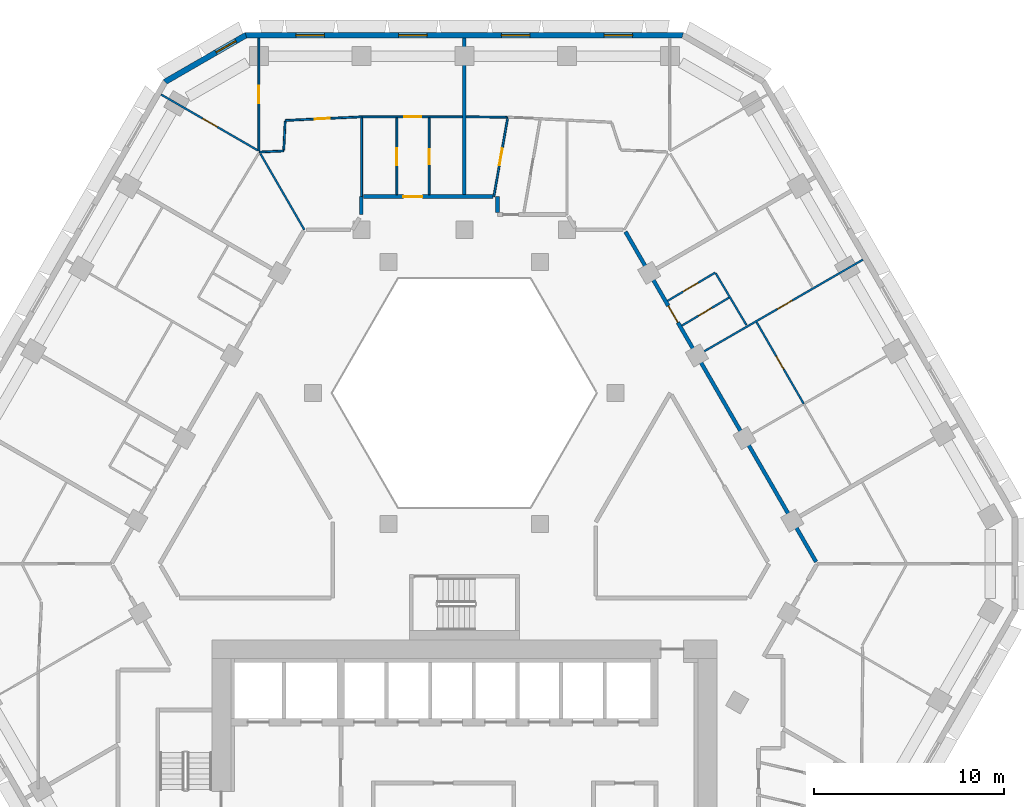
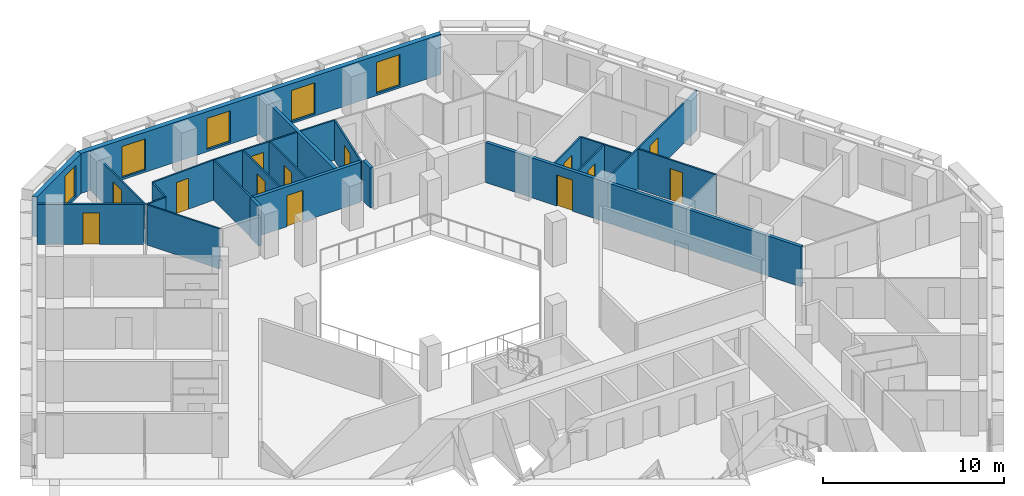
# One storey, part 8 of 15: 24 walls, 13 doors, 5 windows, 18 openings.
"""IFC4 building model written with IfcOpenShell, lengths in metres."""

from ifc_helpers import new_model, si_unit, direction, frame, frame_2d, origin, place, context, subcontext, project, spatial, polyline, rectangle, outline, extrude, material, layer, layer_set, type_object, element, fill, save


model = new_model("IFC4")

# Units and contexts
model_context = context("Model", 3, precision=1e-05, world=origin(), true_north=direction((0.0, 1.0)))
body_context = subcontext(model_context, "Body", "Model", "MODEL_VIEW")
ifc_project = project(units=[si_unit("LENGTHUNIT", "METRE"), si_unit("AREAUNIT", "SQUARE_METRE"), si_unit("VOLUMEUNIT", "CUBIC_METRE"), si_unit("PLANEANGLEUNIT", "RADIAN"), si_unit("MASSUNIT", "GRAM", prefix="KILO")], contexts=[model_context])

# Site, building, storey
site_placement = place(None, origin())
site = spatial("IfcSite", under=ifc_project, at=site_placement, CompositionType="ELEMENT")
building_placement = place(site_placement, origin())
building = spatial("IfcBuilding", under=site, at=building_placement, Name="Beryl Residences", CompositionType="ELEMENT")
storey_placement = place(building_placement, frame((0.0, 0.0, 84.0)))
storey = spatial("IfcBuildingStorey", under=building, at=storey_placement, Name="L25", CompositionType="ELEMENT", Elevation=84.0)

# Wall, openings, windows
ifc_material_1 = material(Name="Composite metal panel with mineral wool insulation")
ifc_layer_1 = layer(ifc_material_1, 0.300048828125)
ifc_layer_set_1 = layer_set([ifc_layer_1], Name="ES1 pale metal composite panel wall 300 mm")
wall_type_1 = type_object("IfcWallType", Name="ES1 pale metal composite panel wall 300 mm", PredefinedType="SOLIDWALL", material=ifc_layer_set_1)
wall_1_placement = place(storey_placement, frame((11.547119140625, 26.85009765625, 0.0), z_axis=(0.0, 0.0, 1.0), x_axis=(-1.0, 0.0, 0.0)))
wall_1 = element("IfcWall", 1, at=wall_1_placement, inside=storey, type_object=wall_type_1, Name="ES1 external wall L25 N", PredefinedType="SOLIDWALL", context=body_context, shape_type="SweptSolid", body=[
    extrude(outline(polyline([(0.0, -0.14990234375), (23.09423828125, -0.14990234375), (23.013916015625, 0.14990234375), (0.080322265625, 0.14990234375), (0.0, -0.14990234375)])), origin(), (0.0, 0.0, 1.0), 2.699951171875),
])
opening_1_placement = place(wall_1_placement, frame((2.677978515625, 0.0, 0.14990234375)))
opening_1 = element("IfcOpeningElement", 2, at=opening_1_placement, cuts=wall_1, Name="Opening W1", PredefinedType="OPENING", context=body_context, shape_type="SweptSolid", body=[
    extrude(rectangle(XDim=1.5, YDim=2.10009765625, at=frame_2d((0.75, 1.050048828125))), frame((0.0, 0.159912109375, 0.0), z_axis=(0.0, -1.0, 0.0), x_axis=(1.0, 0.0, 0.0)), (0.0, 0.0, 1.0), 0.320068359375),
])
opening_2_placement = place(wall_1_placement, frame((8.092041015625, 0.0, 0.14990234375)))
opening_2 = element("IfcOpeningElement", 3, at=opening_2_placement, cuts=wall_1, Name="Opening W1", PredefinedType="OPENING", context=body_context, shape_type="SweptSolid", body=[
    extrude(rectangle(XDim=1.5, YDim=2.10009765625, at=frame_2d((0.75, 1.050048828125))), frame((0.0, 0.159912109375, 0.0), z_axis=(0.0, -1.0, 0.0), x_axis=(1.0, 0.0, 0.0)), (0.0, 0.0, 1.0), 0.320068359375),
])
opening_3_placement = place(wall_1_placement, frame((13.50390625, 0.0, 0.14990234375)))
opening_3 = element("IfcOpeningElement", 4, at=opening_3_placement, cuts=wall_1, Name="Opening W1", PredefinedType="OPENING", context=body_context, shape_type="SweptSolid", body=[
    extrude(rectangle(XDim=1.5, YDim=2.10009765625, at=frame_2d((0.75, 1.050048828125))), frame((0.0, 0.159912109375, 0.0), z_axis=(0.0, -1.0, 0.0), x_axis=(1.0, 0.0, 0.0)), (0.0, 0.0, 1.0), 0.320068359375),
])
opening_4_placement = place(wall_1_placement, frame((18.9169921875, 0.0, 0.14990234375)))
opening_4 = element("IfcOpeningElement", 5, at=opening_4_placement, cuts=wall_1, Name="Opening W1", PredefinedType="OPENING", context=body_context, shape_type="SweptSolid", body=[
    extrude(rectangle(XDim=1.5, YDim=2.10009765625, at=frame_2d((0.75, 1.050048828125))), frame((0.0, 0.159912109375, 0.0), z_axis=(0.0, -1.0, 0.0), x_axis=(1.0, 0.0, 0.0)), (0.0, 0.0, 1.0), 0.320068359375),
])
ifc_material_2 = material(Name="Aluminium and clear glass", Category="aluminium")
window_type_1 = type_object("IfcWindowType", Name="W1 cell window 1500 x 2100 mm", PartitioningType="SINGLE_PANEL", PredefinedType="WINDOW", material=ifc_material_2)
window_1_placement = place(opening_1_placement, origin())
window_1 = element("IfcWindow", 6, at=window_1_placement, inside=storey, type_object=window_type_1, Name="W1 window L25 N 2", OverallHeight=2.10009765625, OverallWidth=1.5, PartitioningType="SINGLE_PANEL", PredefinedType="WINDOW", context=body_context, shape_type="SweptSolid", body=[
    extrude(rectangle(XDim=1.5, YDim=2.10009765625, at=frame_2d((0.75, 1.050048828125))), frame((0.0, 0.030029296875, 0.0), z_axis=(0.0, -1.0, 0.0), x_axis=(1.0, 0.0, 0.0)), (0.0, 0.0, 1.0), 0.06005859375),
])
fill(opening_1, window_1)
window_2_placement = place(opening_2_placement, origin())
window_2 = element("IfcWindow", 7, at=window_2_placement, inside=storey, type_object=window_type_1, Name="W1 window L25 N 4", OverallHeight=2.10009765625, OverallWidth=1.5, PartitioningType="SINGLE_PANEL", PredefinedType="WINDOW", context=body_context, shape_type="SweptSolid", body=[
    extrude(rectangle(XDim=1.5, YDim=2.10009765625, at=frame_2d((0.75, 1.050048828125))), frame((0.0, 0.030029296875, 0.0), z_axis=(0.0, -1.0, 0.0), x_axis=(1.0, 0.0, 0.0)), (0.0, 0.0, 1.0), 0.06005859375),
])
fill(opening_2, window_2)
window_3_placement = place(opening_3_placement, origin())
window_3 = element("IfcWindow", 8, at=window_3_placement, inside=storey, type_object=window_type_1, Name="W1 window L25 N 6", OverallHeight=2.10009765625, OverallWidth=1.5, PartitioningType="SINGLE_PANEL", PredefinedType="WINDOW", context=body_context, shape_type="SweptSolid", body=[
    extrude(rectangle(XDim=1.5, YDim=2.10009765625, at=frame_2d((0.75, 1.050048828125))), frame((0.0, 0.030029296875, 0.0), z_axis=(0.0, -1.0, 0.0), x_axis=(1.0, 0.0, 0.0)), (0.0, 0.0, 1.0), 0.06005859375),
])
fill(opening_3, window_3)
window_4_placement = place(opening_4_placement, origin())
window_4 = element("IfcWindow", 9, at=window_4_placement, inside=storey, type_object=window_type_1, Name="W1 window L25 N 8", OverallHeight=2.10009765625, OverallWidth=1.5, PartitioningType="SINGLE_PANEL", PredefinedType="WINDOW", context=body_context, shape_type="SweptSolid", body=[
    extrude(rectangle(XDim=1.5, YDim=2.10009765625, at=frame_2d((0.75, 1.050048828125))), frame((0.0, 0.030029296875, 0.0), z_axis=(0.0, -1.0, 0.0), x_axis=(1.0, 0.0, 0.0)), (0.0, 0.0, 1.0), 0.06005859375),
])
fill(opening_4, window_4)

# Wall, opening, window
wall_2_placement = place(storey_placement, frame((-11.471923828125, 26.8701171875, 0.0), z_axis=(0.0, 0.0, 1.0), x_axis=(-0.866022959057, -0.500004234368, 0.0)))
wall_2 = element("IfcWall", 10, at=wall_2_placement, inside=storey, type_object=wall_type_1, Name="ES1 external wall L25 N-NW", PredefinedType="SOLIDWALL", context=body_context, shape_type="SweptSolid", body=[
    extrude(outline(polyline([(0.0, -0.14990234375), (5.0, -0.14990234375), (4.919677734375, 0.14990234375), (0.080322265625, 0.14990234375), (0.0, -0.14990234375)])), origin(), (0.0, 0.0, 1.0), 2.699951171875),
])
opening_5_placement = place(wall_2_placement, frame((0.64990234375, 0.0, 0.14990234375)))
opening_5 = element("IfcOpeningElement", 11, at=opening_5_placement, cuts=wall_2, Name="Opening W2", PredefinedType="OPENING", context=body_context, shape_type="SweptSolid", body=[
    extrude(rectangle(XDim=1.199951171875, YDim=2.10009765625, at=frame_2d((0.60009765625, 1.050048828125))), frame((0.0, 0.159912109375, 0.0), z_axis=(0.0, -1.0, 0.0), x_axis=(1.0, 0.0, 0.0)), (0.0, 0.0, 1.0), 0.320068359375),
])
ifc_material_3 = material(Name="Aluminium and clear glass", Category="aluminium")
window_type_2 = type_object("IfcWindowType", Name="W2 chamfer window 1200 x 2100 mm", PartitioningType="SINGLE_PANEL", PredefinedType="WINDOW", material=ifc_material_3)
window_5_placement = place(opening_5_placement, origin())
window_5 = element("IfcWindow", 12, at=window_5_placement, inside=storey, type_object=window_type_2, Name="W2 window L25 N-NW 1", OverallHeight=2.10009765625, OverallWidth=1.199951171875, PartitioningType="SINGLE_PANEL", PredefinedType="WINDOW", context=body_context, shape_type="SweptSolid", body=[
    extrude(rectangle(XDim=1.199951171875, YDim=2.10009765625, at=frame_2d((0.60009765625, 1.050048828125))), frame((0.0, 0.030029296875, 0.0), z_axis=(0.0, -1.0, 0.0), x_axis=(1.0, 0.0, 0.0)), (0.0, 0.0, 1.0), 0.06005859375),
])
fill(opening_5, window_5)

# Walls
ifc_material_4 = material(Name="Gypsum board partition on steel studs", Category="steel")
ifc_layer_2 = layer(ifc_material_4, 0.10009765625)
ifc_layer_set_2 = layer_set([ifc_layer_2], Name="PT1 partition 100 mm gypsum board on steel studs")
wall_type_2 = type_object("IfcWallType", Name="PT1 partition 100 mm gypsum board on steel studs", PredefinedType="PARTITIONING", material=ifc_layer_set_2)
wall_3_placement = place(storey_placement, frame((0.09912109375, 22.549072265625, 0.0), z_axis=(0.0, 0.0, 1.0), x_axis=(0.99995279897, -0.009715957599, 0.0)))
element("IfcWall", 13, at=wall_3_placement, inside=storey, type_object=wall_type_2, Name="Wall PT1 L25 001", PredefinedType="PARTITIONING", context=body_context, shape_type="SweptSolid", body=[
    extrude(rectangle(XDim=2.160888671875, YDim=0.10009765625, at=frame_2d((1.08056640625, 0.0))), origin(), (0.0, 0.0, 1.0), 2.699951171875),
])
wall_4_placement = place(storey_placement, frame((13.2470703125, 14.300048828125, 0.0), z_axis=(0.0, 0.0, 1.0), x_axis=(0.510312234073, -0.85998919979, 0.0)))
element("IfcWall", 14, at=wall_4_placement, inside=storey, type_object=wall_type_2, Name="Wall PT1 L25 004", PredefinedType="PARTITIONING", context=body_context, shape_type="SweptSolid", body=[
    extrude(rectangle(XDim=3.162841796875, YDim=0.10009765625, at=frame_2d((1.58154296875, 0.0))), origin(), (0.0, 0.0, 1.0), 2.699951171875),
])
wall_5_placement = place(storey_placement, frame((-10.741943359375, 20.60595703125, 0.0), z_axis=(0.0, 0.0, 1.0), x_axis=(0.50003312339, -0.866006279142, 0.0)))
element("IfcWall", 15, at=wall_5_placement, inside=storey, type_object=wall_type_2, Name="Wall PT1 L25 005", PredefinedType="PARTITIONING", context=body_context, shape_type="SweptSolid", body=[
    extrude(rectangle(XDim=4.625732421875, YDim=0.10009765625, at=frame_2d((2.31298828125, 0.0))), origin(), (0.0, 0.0, 1.0), 2.699951171875),
])

# Wall, opening, door
wall_6_placement = place(storey_placement, frame((15.39794921875, 11.73095703125, 0.0), z_axis=(0.0, 0.0, 1.0), x_axis=(0.500010064822, -0.866019592779, 0.0)))
wall_6 = element("IfcWall", 16, at=wall_6_placement, inside=storey, type_object=wall_type_2, Name="Wall PT1 L25 006", PredefinedType="PARTITIONING", context=body_context, shape_type="SweptSolid", body=[
    extrude(rectangle(XDim=4.97216796875, YDim=0.10009765625, at=frame_2d((2.486083984375, 0.0))), origin(), (0.0, 0.0, 1.0), 2.699951171875),
])
opening_6_placement = place(wall_6_placement, frame((2.06103515625, 0.0, 0.0)))
opening_6 = element("IfcOpeningElement", 17, at=opening_6_placement, cuts=wall_6, Name="Opening D0814", PredefinedType="OPENING", context=body_context, shape_type="SweptSolid", body=[
    extrude(rectangle(XDim=0.800048828125, YDim=2.10009765625, at=frame_2d((0.39990234375, 1.050048828125))), frame((0.0, 0.06005859375, 0.0), z_axis=(0.0, -1.0, 0.0), x_axis=(1.0, 0.0, 0.0)), (0.0, 0.0, 1.0), 0.1201171875),
])
ifc_material_5 = material(Name="Timber door leaf", Category="wood")
door_type_1 = type_object("IfcDoorType", Name="D3 bathroom door 800 x 2100 mm", OperationType="SINGLE_SWING_LEFT", PredefinedType="DOOR", material=ifc_material_5)
door_1_placement = place(opening_6_placement, origin())
door_1 = element("IfcDoor", 18, at=door_1_placement, inside=storey, type_object=door_type_1, Name="Door D0814 L25 001", OperationType="SINGLE_SWING_RIGHT", OverallHeight=2.10009765625, OverallWidth=0.800048828125, PredefinedType="DOOR", context=body_context, shape_type="SweptSolid", body=[
    extrude(rectangle(XDim=0.800048828125, YDim=2.10009765625, at=frame_2d((0.39990234375, 1.050048828125))), frame((0.0, 0.02490234375, 0.0), z_axis=(0.0, -1.0, 0.0), x_axis=(1.0, 0.0, 0.0)), (0.0, 0.0, 1.0), 0.050048828125),
])
fill(opening_6, door_1)

wall_7_placement = place(storey_placement, frame((-15.97705078125, 23.72509765625, 0.0), z_axis=(0.0, 0.0, 1.0), x_axis=(0.866028213039, -0.499995134196, 0.0)))
wall_7 = element("IfcWall", 19, at=wall_7_placement, inside=storey, type_object=wall_type_2, Name="Wall PT1 L25 025", PredefinedType="PARTITIONING", context=body_context, shape_type="SweptSolid", body=[
    extrude(rectangle(XDim=5.89013671875, YDim=0.10009765625, at=frame_2d((2.945068359375, 0.0))), origin(), (0.0, 0.0, 1.0), 2.699951171875),
])
opening_7_placement = place(wall_7_placement, frame((2.52392578125, 0.0, 0.0)))
opening_7 = element("IfcOpeningElement", 20, at=opening_7_placement, cuts=wall_7, Name="Opening D0829", PredefinedType="OPENING", context=body_context, shape_type="SweptSolid", body=[
    extrude(rectangle(XDim=0.89990234375, YDim=2.10009765625, at=frame_2d((0.449951171875, 1.050048828125))), frame((0.0, 0.06005859375, 0.0), z_axis=(0.0, -1.0, 0.0), x_axis=(1.0, 0.0, 0.0)), (0.0, 0.0, 1.0), 0.1201171875),
])
ifc_material_6 = material(Name="Timber door leaf", Category="wood")
door_type_2 = type_object("IfcDoorType", Name="D2 room door 900 x 2100 mm", OperationType="SINGLE_SWING_LEFT", PredefinedType="DOOR", material=ifc_material_6)
door_2_placement = place(opening_7_placement, origin())
door_2 = element("IfcDoor", 21, at=door_2_placement, inside=storey, type_object=door_type_2, Name="Door D0829 L25 001", OperationType="SINGLE_SWING_LEFT", OverallHeight=2.10009765625, OverallWidth=0.89990234375, PredefinedType="DOOR", context=body_context, shape_type="SweptSolid", body=[
    extrude(rectangle(XDim=0.89990234375, YDim=2.10009765625, at=frame_2d((0.449951171875, 1.050048828125))), frame((0.0, 0.02490234375, 0.0), z_axis=(0.0, -1.0, 0.0), x_axis=(1.0, 0.0, 0.0)), (0.0, 0.0, 1.0), 0.050048828125),
])
fill(opening_7, door_2)

wall_8_placement = place(storey_placement, frame((-5.384033203125, 22.550048828125, 0.0), z_axis=(0.0, 0.0, 1.0), x_axis=(1.0, 0.0, 0.0)))
wall_8 = element("IfcWall", 22, at=wall_8_placement, inside=storey, type_object=wall_type_2, Name="Wall PT1 L25 032", PredefinedType="PARTITIONING", context=body_context, shape_type="SweptSolid", body=[
    extrude(rectangle(XDim=5.282958984375, YDim=0.10009765625, at=frame_2d((2.6416015625, 0.0))), origin(), (0.0, 0.0, 1.0), 2.699951171875),
])
opening_8_placement = place(wall_8_placement, frame((2.22607421875, 0.0, 0.0)))
opening_8 = element("IfcOpeningElement", 23, at=opening_8_placement, cuts=wall_8, Name="Opening D0826", PredefinedType="OPENING", context=body_context, shape_type="SweptSolid", body=[
    extrude(rectangle(XDim=0.89990234375, YDim=2.10009765625, at=frame_2d((0.449951171875, 1.050048828125))), frame((0.0, 0.06005859375, 0.0), z_axis=(0.0, -1.0, 0.0), x_axis=(1.0, 0.0, 0.0)), (0.0, 0.0, 1.0), 0.1201171875),
])
door_3_placement = place(opening_8_placement, origin())
door_3 = element("IfcDoor", 24, at=door_3_placement, inside=storey, type_object=door_type_2, Name="Door D0826 L25 001", OperationType="SINGLE_SWING_RIGHT", OverallHeight=2.10009765625, OverallWidth=0.89990234375, PredefinedType="DOOR", context=body_context, shape_type="SweptSolid", body=[
    extrude(rectangle(XDim=0.89990234375, YDim=2.10009765625, at=frame_2d((0.449951171875, 1.050048828125))), frame((0.0, 0.02490234375, 0.0), z_axis=(0.0, -1.0, 0.0), x_axis=(1.0, 0.0, 0.0)), (0.0, 0.0, 1.0), 0.050048828125),
])
fill(opening_8, door_3)

wall_9_placement = place(storey_placement, frame((1.556884765625, 18.35009765625, 0.0), z_axis=(0.0, 0.0, 1.0), x_axis=(0.173062973099, 0.984910761106, 0.0)))
wall_9 = element("IfcWall", 25, at=wall_9_placement, inside=storey, type_object=wall_type_2, Name="Wall PT1 L25 043", PredefinedType="PARTITIONING", context=body_context, shape_type="SweptSolid", body=[
    extrude(rectangle(XDim=4.241943359375, YDim=0.10009765625, at=frame_2d((2.12109375, 0.0))), origin(), (0.0, 0.0, 1.0), 2.699951171875),
])
opening_9_placement = place(wall_9_placement, frame((1.6708984375, 0.0, 0.0)))
opening_9 = element("IfcOpeningElement", 26, at=opening_9_placement, cuts=wall_9, Name="Opening D0817", PredefinedType="OPENING", context=body_context, shape_type="SweptSolid", body=[
    extrude(rectangle(XDim=0.89990234375, YDim=2.10009765625, at=frame_2d((0.449951171875, 1.050048828125))), frame((0.0, 0.06005859375, 0.0), z_axis=(0.0, -1.0, 0.0), x_axis=(1.0, 0.0, 0.0)), (0.0, 0.0, 1.0), 0.1201171875),
])
door_4_placement = place(opening_9_placement, origin())
door_4 = element("IfcDoor", 27, at=door_4_placement, inside=storey, type_object=door_type_2, Name="Door D0817 L25 001", OperationType="SINGLE_SWING_LEFT", OverallHeight=2.10009765625, OverallWidth=0.89990234375, PredefinedType="DOOR", context=body_context, shape_type="SweptSolid", body=[
    extrude(rectangle(XDim=0.89990234375, YDim=2.10009765625, at=frame_2d((0.449951171875, 1.050048828125))), frame((0.0, 0.02490234375, 0.0), z_axis=(0.0, -1.0, 0.0), x_axis=(1.0, 0.0, 0.0)), (0.0, 0.0, 1.0), 0.050048828125),
])
fill(opening_9, door_4)

# Wall
wall_10_placement = place(storey_placement, frame((-9.511962890625, 20.802978515625, 0.0), z_axis=(0.0, 0.0, 1.0), x_axis=(0.049089165168, 0.998794400196, 0.0)))
element("IfcWall", 28, at=wall_10_placement, inside=storey, type_object=wall_type_2, Name="Wall PT1 L25 044", PredefinedType="PARTITIONING", context=body_context, shape_type="SweptSolid", body=[
    extrude(rectangle(XDim=1.5068359375, YDim=0.10009765625, at=frame_2d((0.75341796875, 0.0))), origin(), (0.0, 0.0, 1.0), 2.699951171875),
])

# Wall, opening, door
wall_11_placement = place(storey_placement, frame((-3.556884765625, 18.449951171875, 0.0), z_axis=(0.0, 0.0, 1.0), x_axis=(0.0, 1.0, 0.0)))
wall_11 = element("IfcWall", 29, at=wall_11_placement, inside=storey, type_object=wall_type_2, Name="Wall PT1 L25 053", PredefinedType="PARTITIONING", context=body_context, shape_type="SweptSolid", body=[
    extrude(rectangle(XDim=4.050048828125, YDim=0.10009765625, at=frame_2d((2.02490234375, 0.0))), origin(), (0.0, 0.0, 1.0), 2.699951171875),
])
opening_10_placement = place(wall_11_placement, frame((1.550048828125, 0.0, 0.0)))
opening_10 = element("IfcOpeningElement", 30, at=opening_10_placement, cuts=wall_11, Name="Opening D0825", PredefinedType="OPENING", context=body_context, shape_type="SweptSolid", body=[
    extrude(rectangle(XDim=0.89990234375, YDim=2.10009765625, at=frame_2d((0.449951171875, 1.050048828125))), frame((0.0, 0.06005859375, 0.0), z_axis=(0.0, -1.0, 0.0), x_axis=(1.0, 0.0, 0.0)), (0.0, 0.0, 1.0), 0.1201171875),
])
door_5_placement = place(opening_10_placement, origin())
door_5 = element("IfcDoor", 31, at=door_5_placement, inside=storey, type_object=door_type_2, Name="Door D0825 L25 001", OperationType="SINGLE_SWING_LEFT", OverallHeight=2.10009765625, OverallWidth=0.89990234375, PredefinedType="DOOR", context=body_context, shape_type="SweptSolid", body=[
    extrude(rectangle(XDim=0.89990234375, YDim=2.10009765625, at=frame_2d((0.449951171875, 1.050048828125))), frame((0.0, 0.02490234375, 0.0), z_axis=(0.0, -1.0, 0.0), x_axis=(1.0, 0.0, 0.0)), (0.0, 0.0, 1.0), 0.050048828125),
])
fill(opening_10, door_5)

# Wall
wall_12_placement = place(storey_placement, frame((-5.4140625, 18.35009765625, 0.0), z_axis=(0.0, 0.0, 1.0), x_axis=(0.0, 1.0, 0.0)))
element("IfcWall", 32, at=wall_12_placement, inside=storey, type_object=wall_type_2, Name="Wall PT1 L25 054", PredefinedType="PARTITIONING", context=body_context, shape_type="SweptSolid", body=[
    extrude(rectangle(XDim=4.14990234375, YDim=0.10009765625, at=frame_2d((2.074951171875, 0.0))), origin(), (0.0, 0.0, 1.0), 2.699951171875),
])

# Wall, opening, door
wall_13_placement = place(storey_placement, frame((-10.826904296875, 20.7529296875, 0.0), z_axis=(0.0, 0.0, 1.0), x_axis=(0.0, 1.0, 0.0)))
wall_13 = element("IfcWall", 33, at=wall_13_placement, inside=storey, type_object=wall_type_2, Name="Wall PT1 L25 056", PredefinedType="PARTITIONING", context=body_context, shape_type="SweptSolid", body=[
    extrude(rectangle(XDim=5.947021484375, YDim=0.10009765625, at=frame_2d((2.9736328125, 0.0))), origin(), (0.0, 0.0, 1.0), 2.699951171875),
])
opening_11_placement = place(wall_13_placement, frame((2.52294921875, 0.0, 0.0)))
opening_11 = element("IfcOpeningElement", 34, at=opening_11_placement, cuts=wall_13, Name="Opening D0827", PredefinedType="OPENING", context=body_context, shape_type="SweptSolid", body=[
    extrude(rectangle(XDim=0.89990234375, YDim=2.10009765625, at=frame_2d((0.449951171875, 1.050048828125))), frame((0.0, 0.06005859375, 0.0), z_axis=(0.0, -1.0, 0.0), x_axis=(1.0, 0.0, 0.0)), (0.0, 0.0, 1.0), 0.1201171875),
])
door_6_placement = place(opening_11_placement, origin())
door_6 = element("IfcDoor", 35, at=door_6_placement, inside=storey, type_object=door_type_2, Name="Door D0827 L25 001", OperationType="SINGLE_SWING_LEFT", OverallHeight=2.10009765625, OverallWidth=0.89990234375, PredefinedType="DOOR", context=body_context, shape_type="SweptSolid", body=[
    extrude(rectangle(XDim=0.89990234375, YDim=2.10009765625, at=frame_2d((0.449951171875, 1.050048828125))), frame((0.0, 0.02490234375, 0.0), z_axis=(0.0, -1.0, 0.0), x_axis=(1.0, 0.0, 0.0)), (0.0, 0.0, 1.0), 0.050048828125),
])
fill(opening_11, door_6)

wall_14_placement = place(storey_placement, frame((-1.85693359375, 18.449951171875, 0.0), z_axis=(0.0, 0.0, 1.0), x_axis=(0.0, 1.0, 0.0)))
wall_14 = element("IfcWall", 36, at=wall_14_placement, inside=storey, type_object=wall_type_2, Name="Wall PT1 L25 058", PredefinedType="PARTITIONING", context=body_context, shape_type="SweptSolid", body=[
    extrude(rectangle(XDim=4.050048828125, YDim=0.10009765625, at=frame_2d((2.02490234375, 0.0))), origin(), (0.0, 0.0, 1.0), 2.699951171875),
])
opening_12_placement = place(wall_14_placement, frame((1.60009765625, 0.0, 0.0)))
opening_12 = element("IfcOpeningElement", 37, at=opening_12_placement, cuts=wall_14, Name="Opening D0824", PredefinedType="OPENING", context=body_context, shape_type="SweptSolid", body=[
    extrude(rectangle(XDim=0.800048828125, YDim=2.10009765625, at=frame_2d((0.39990234375, 1.050048828125))), frame((0.0, 0.06005859375, 0.0), z_axis=(0.0, -1.0, 0.0), x_axis=(1.0, 0.0, 0.0)), (0.0, 0.0, 1.0), 0.1201171875),
])
door_7_placement = place(opening_12_placement, origin())
door_7 = element("IfcDoor", 38, at=door_7_placement, inside=storey, type_object=door_type_1, Name="Door D0824 L25 001", OperationType="SINGLE_SWING_RIGHT", OverallHeight=2.10009765625, OverallWidth=0.800048828125, PredefinedType="DOOR", context=body_context, shape_type="SweptSolid", body=[
    extrude(rectangle(XDim=0.800048828125, YDim=2.10009765625, at=frame_2d((0.39990234375, 1.050048828125))), frame((0.0, 0.02490234375, 0.0), z_axis=(0.0, -1.0, 0.0), x_axis=(1.0, 0.0, 0.0)), (0.0, 0.0, 1.0), 0.050048828125),
])
fill(opening_12, door_7)

# Wall
wall_15_placement = place(storey_placement, frame((-10.7919921875, 20.69189453125, 0.0), z_axis=(0.0, 0.0, 1.0), x_axis=(0.998861653202, 0.04770112957, 0.0)))
element("IfcWall", 39, at=wall_15_placement, inside=storey, type_object=wall_type_2, Name="Wall PT1 L25 061", PredefinedType="PARTITIONING", context=body_context, shape_type="SweptSolid", body=[
    extrude(rectangle(XDim=1.279541015625, YDim=0.10009765625, at=frame_2d((0.6396484375, 0.0))), origin(), (0.0, 0.0, 1.0), 2.699951171875),
])

# Wall, opening, door
wall_16_placement = place(storey_placement, frame((-9.43505859375, 22.35791015625, 0.0), z_axis=(0.0, 0.0, 1.0), x_axis=(0.998871548472, 0.04749346959, 0.0)))
wall_16 = element("IfcWall", 40, at=wall_16_placement, inside=storey, type_object=wall_type_2, Name="Wall PT1 L25 062", PredefinedType="PARTITIONING", context=body_context, shape_type="SweptSolid", body=[
    extrude(rectangle(XDim=4.045654296875, YDim=0.10009765625, at=frame_2d((2.02294921875, 0.0))), origin(), (0.0, 0.0, 1.0), 2.699951171875),
])
opening_13_placement = place(wall_16_placement, frame((1.554931640625, 0.0, 0.0)))
opening_13 = element("IfcOpeningElement", 41, at=opening_13_placement, cuts=wall_16, Name="Opening D0828", PredefinedType="OPENING", context=body_context, shape_type="SweptSolid", body=[
    extrude(rectangle(XDim=0.800048828125, YDim=2.10009765625, at=frame_2d((0.39990234375, 1.050048828125))), frame((0.0, 0.06005859375, 0.0), z_axis=(0.0, -1.0, 0.0), x_axis=(1.0, 0.0, 0.0)), (0.0, 0.0, 1.0), 0.1201171875),
])
door_8_placement = place(opening_13_placement, origin())
door_8 = element("IfcDoor", 42, at=door_8_placement, inside=storey, type_object=door_type_1, Name="Door D0828 L25 001", OperationType="SINGLE_SWING_RIGHT", OverallHeight=2.10009765625, OverallWidth=0.800048828125, PredefinedType="DOOR", context=body_context, shape_type="SweptSolid", body=[
    extrude(rectangle(XDim=0.800048828125, YDim=2.10009765625, at=frame_2d((0.39990234375, 1.050048828125))), frame((0.0, 0.02490234375, 0.0), z_axis=(0.0, -1.0, 0.0), x_axis=(1.0, 0.0, 0.0)), (0.0, 0.0, 1.0), 0.050048828125),
])
fill(opening_13, door_8)

wall_17_placement = place(storey_placement, frame((12.342041015625, 10.02490234375, 0.0), z_axis=(0.0, 0.0, 1.0), x_axis=(0.865992435864, 0.500057097767, 0.0)))
wall_17 = element("IfcWall", 43, at=wall_17_placement, inside=storey, type_object=wall_type_2, Name="Wall PT1 L25 067", PredefinedType="PARTITIONING", context=body_context, shape_type="SweptSolid", body=[
    extrude(rectangle(XDim=9.998779296875, YDim=0.10009765625, at=frame_2d((4.99951171875, 0.0))), origin(), (0.0, 0.0, 1.0), 2.699951171875),
])
opening_14_placement = place(wall_17_placement, frame((4.794921875, 0.0, 0.0)))
opening_14 = element("IfcOpeningElement", 44, at=opening_14_placement, cuts=wall_17, Name="Opening D0811", PredefinedType="OPENING", context=body_context, shape_type="SweptSolid", body=[
    extrude(rectangle(XDim=0.89990234375, YDim=2.10009765625, at=frame_2d((0.449951171875, 1.050048828125))), frame((0.0, 0.06005859375, 0.0), z_axis=(0.0, -1.0, 0.0), x_axis=(1.0, 0.0, 0.0)), (0.0, 0.0, 1.0), 0.1201171875),
])
door_9_placement = place(opening_14_placement, origin())
door_9 = element("IfcDoor", 45, at=door_9_placement, inside=storey, type_object=door_type_2, Name="Door D0811 L25 001", OperationType="SINGLE_SWING_LEFT", OverallHeight=2.10009765625, OverallWidth=0.89990234375, PredefinedType="DOOR", context=body_context, shape_type="SweptSolid", body=[
    extrude(rectangle(XDim=0.89990234375, YDim=2.10009765625, at=frame_2d((0.449951171875, 1.050048828125))), frame((0.0, 0.02490234375, 0.0), z_axis=(0.0, -1.0, 0.0), x_axis=(1.0, 0.0, 0.0)), (0.0, 0.0, 1.0), 0.050048828125),
])
fill(opening_14, door_9)

wall_18_placement = place(storey_placement, frame((11.4619140625, 11.548095703125, 0.0), z_axis=(0.0, 0.0, 1.0), x_axis=(0.860106181478, 0.510115042498, 0.0)))
wall_18 = element("IfcWall", 46, at=wall_18_placement, inside=storey, type_object=wall_type_2, Name="Wall PT1 L25 068", PredefinedType="PARTITIONING", context=body_context, shape_type="SweptSolid", body=[
    extrude(rectangle(XDim=2.889404296875, YDim=0.10009765625, at=frame_2d((1.44482421875, 0.0))), origin(), (0.0, 0.0, 1.0), 2.699951171875),
])
opening_15_placement = place(wall_18_placement, frame((1.01904296875, 0.0, 0.0)))
opening_15 = element("IfcOpeningElement", 47, at=opening_15_placement, cuts=wall_18, Name="Opening D0809", PredefinedType="OPENING", context=body_context, shape_type="SweptSolid", body=[
    extrude(rectangle(XDim=0.800048828125, YDim=2.10009765625, at=frame_2d((0.39990234375, 1.050048828125))), frame((0.0, 0.06005859375, 0.0), z_axis=(0.0, -1.0, 0.0), x_axis=(1.0, 0.0, 0.0)), (0.0, 0.0, 1.0), 0.1201171875),
])
door_10_placement = place(opening_15_placement, origin())
door_10 = element("IfcDoor", 48, at=door_10_placement, inside=storey, type_object=door_type_1, Name="Door D0809 L25 001", OperationType="SINGLE_SWING_LEFT", OverallHeight=2.10009765625, OverallWidth=0.800048828125, PredefinedType="DOOR", context=body_context, shape_type="SweptSolid", body=[
    extrude(rectangle(XDim=0.800048828125, YDim=2.10009765625, at=frame_2d((0.39990234375, 1.050048828125))), frame((0.0, 0.02490234375, 0.0), z_axis=(0.0, -1.0, 0.0), x_axis=(1.0, 0.0, 0.0)), (0.0, 0.0, 1.0), 0.050048828125),
])
fill(opening_15, door_10)

wall_19_placement = place(storey_placement, frame((10.708984375, 12.85302734375, 0.0), z_axis=(0.0, 0.0, 1.0), x_axis=(0.859991215576, 0.510308837011, 0.0)))
wall_19 = element("IfcWall", 49, at=wall_19_placement, inside=storey, type_object=wall_type_2, Name="Wall PT1 L25 069", PredefinedType="PARTITIONING", context=body_context, shape_type="SweptSolid", body=[
    extrude(rectangle(XDim=2.919677734375, YDim=0.10009765625, at=frame_2d((1.4599609375, 0.0))), origin(), (0.0, 0.0, 1.0), 2.699951171875),
])
opening_16_placement = place(wall_19_placement, frame((0.9599609375, 0.0, 0.0)))
opening_16 = element("IfcOpeningElement", 50, at=opening_16_placement, cuts=wall_19, Name="Opening D0808", PredefinedType="OPENING", context=body_context, shape_type="SweptSolid", body=[
    extrude(rectangle(XDim=0.89990234375, YDim=2.10009765625, at=frame_2d((0.449951171875, 1.050048828125))), frame((0.0, 0.06005859375, 0.0), z_axis=(0.0, -1.0, 0.0), x_axis=(1.0, 0.0, 0.0)), (0.0, 0.0, 1.0), 0.1201171875),
])
door_11_placement = place(opening_16_placement, origin())
door_11 = element("IfcDoor", 51, at=door_11_placement, inside=storey, type_object=door_type_2, Name="Door D0808 L25 001", OperationType="SINGLE_SWING_RIGHT", OverallHeight=2.10009765625, OverallWidth=0.89990234375, PredefinedType="DOOR", context=body_context, shape_type="SweptSolid", body=[
    extrude(rectangle(XDim=0.89990234375, YDim=2.10009765625, at=frame_2d((0.449951171875, 1.050048828125))), frame((0.0, 0.02490234375, 0.0), z_axis=(0.0, -1.0, 0.0), x_axis=(1.0, 0.0, 0.0)), (0.0, 0.0, 1.0), 0.050048828125),
])
fill(opening_16, door_11)

# Wall
ifc_material_7 = material(Name="Acoustic double stud gypsum board wall")
ifc_layer_3 = layer(ifc_material_7, 0.199951171875)
ifc_layer_set_3 = layer_set([ifc_layer_3], Name="PT3 party wall 200 mm acoustic double stud")
wall_type_3 = type_object("IfcWallType", Name="PT3 party wall 200 mm acoustic double stud", PredefinedType="PARTITIONING", material=ifc_layer_set_3)
wall_20_placement = place(storey_placement, frame((-0.0009765625, 18.449951171875, 0.0), z_axis=(0.0, 0.0, 1.0), x_axis=(0.0, 1.0, 0.0)))
element("IfcWall", 52, at=wall_20_placement, inside=storey, type_object=wall_type_3, Name="Wall PT3 L25 009", PredefinedType="PARTITIONING", context=body_context, shape_type="SweptSolid", body=[
    extrude(rectangle(XDim=8.25, YDim=0.199951171875, at=frame_2d((4.125, 0.0))), origin(), (0.0, 0.0, 1.0), 2.699951171875),
])

# Wall, opening, door
ifc_material_8 = material(Name="Double stud gypsum board wall")
ifc_layer_4 = layer(ifc_material_8, 0.199951171875)
ifc_layer_set_4 = layer_set([ifc_layer_4], Name="PT4 corridor wall 200 mm double stud")
wall_type_4 = type_object("IfcWallType", Name="PT4 corridor wall 200 mm double stud", PredefinedType="PARTITIONING", material=ifc_layer_set_4)
wall_21_placement = place(storey_placement, frame((8.488037109375, 16.5, 0.0), z_axis=(0.0, 0.0, 1.0), x_axis=(0.499986836607, -0.86603300354, 0.0)))
wall_21 = element("IfcWall", 53, at=wall_21_placement, inside=storey, type_object=wall_type_4, Name="Wall PT4 L25 006", PredefinedType="PARTITIONING", context=body_context, shape_type="SweptSolid", body=[
    extrude(rectangle(XDim=20.09033203125, YDim=0.199951171875, at=frame_2d((10.045166015625, 0.0))), origin(), (0.0, 0.0, 1.0), 2.699951171875),
])
opening_17_placement = place(wall_21_placement, frame((4.52294921875, 0.0, 0.0)))
opening_17 = element("IfcOpeningElement", 54, at=opening_17_placement, cuts=wall_21, Name="Opening D0807", PredefinedType="OPENING", context=body_context, shape_type="SweptSolid", body=[
    extrude(rectangle(XDim=1.0, YDim=2.10009765625, at=frame_2d((0.5, 1.050048828125))), frame((0.0, 0.10986328125, 0.0), z_axis=(0.0, -1.0, 0.0), x_axis=(1.0, 0.0, 0.0)), (0.0, 0.0, 1.0), 0.219970703125),
])
ifc_material_9 = material(Name="Timber door leaf", Category="wood")
door_type_3 = type_object("IfcDoorType", Name="D1 flat entrance door 1000 x 2100 mm", OperationType="SINGLE_SWING_LEFT", PredefinedType="DOOR", material=ifc_material_9)
door_12_placement = place(opening_17_placement, origin())
door_12 = element("IfcDoor", 55, at=door_12_placement, inside=storey, type_object=door_type_3, Name="Door D0807 L25 001", OperationType="SINGLE_SWING_LEFT", OverallHeight=2.10009765625, OverallWidth=1.0, PredefinedType="DOOR", context=body_context, shape_type="SweptSolid", body=[
    extrude(rectangle(XDim=1.0, YDim=2.10009765625, at=frame_2d((0.5, 1.050048828125))), frame((0.0, 0.02490234375, 0.0), z_axis=(0.0, -1.0, 0.0), x_axis=(1.0, 0.0, 0.0)), (0.0, 0.0, 1.0), 0.050048828125),
])
fill(opening_17, door_12)

# Wall
wall_22_placement = place(storey_placement, frame((1.7490234375, 18.35009765625, 0.0), z_axis=(0.0, 0.0, 1.0), x_axis=(0.0, -1.0, 0.0)))
element("IfcWall", 56, at=wall_22_placement, inside=storey, type_object=wall_type_4, Name="Wall PT4 L25 012", PredefinedType="PARTITIONING", context=body_context, shape_type="SweptSolid", body=[
    extrude(rectangle(XDim=0.84912109375, YDim=0.199951171875, at=frame_2d((0.424560546875, 0.0))), origin(), (0.0, 0.0, 1.0), 2.699951171875),
])

# Wall, opening, door
wall_23_placement = place(storey_placement, frame((-5.31396484375, 18.35009765625, 0.0), z_axis=(0.0, 0.0, 1.0), x_axis=(1.0, 0.0, 0.0)))
wall_23 = element("IfcWall", 57, at=wall_23_placement, inside=storey, type_object=wall_type_4, Name="Wall PT4 L25 023", PredefinedType="PARTITIONING", context=body_context, shape_type="SweptSolid", body=[
    extrude(rectangle(XDim=6.821044921875, YDim=0.199951171875, at=frame_2d((3.41064453125, 0.0))), origin(), (0.0, 0.0, 1.0), 2.699951171875),
])
opening_18_placement = place(wall_23_placement, frame((2.10595703125, 0.0, 0.0)))
opening_18 = element("IfcOpeningElement", 58, at=opening_18_placement, cuts=wall_23, Name="Opening D0823", PredefinedType="OPENING", context=body_context, shape_type="SweptSolid", body=[
    extrude(rectangle(XDim=1.0, YDim=2.10009765625, at=frame_2d((0.5, 1.050048828125))), frame((0.0, 0.10986328125, 0.0), z_axis=(0.0, -1.0, 0.0), x_axis=(1.0, 0.0, 0.0)), (0.0, 0.0, 1.0), 0.219970703125),
])
door_13_placement = place(opening_18_placement, origin())
door_13 = element("IfcDoor", 59, at=door_13_placement, inside=storey, type_object=door_type_3, Name="Door D0823 L25 001", OperationType="SINGLE_SWING_LEFT", OverallHeight=2.10009765625, OverallWidth=1.0, PredefinedType="DOOR", context=body_context, shape_type="SweptSolid", body=[
    extrude(rectangle(XDim=1.0, YDim=2.10009765625, at=frame_2d((0.5, 1.050048828125))), frame((0.0, 0.02490234375, 0.0), z_axis=(0.0, -1.0, 0.0), x_axis=(1.0, 0.0, 0.0)), (0.0, 0.0, 1.0), 0.050048828125),
])
fill(opening_18, door_13)

# Wall
wall_24_placement = place(storey_placement, frame((-5.427001953125, 17.39990234375, 0.0), z_axis=(0.0, 0.0, 1.0), x_axis=(0.0, 1.0, 0.0)))
element("IfcWall", 60, at=wall_24_placement, inside=storey, type_object=wall_type_4, Name="Wall PT4 L25 033", PredefinedType="PARTITIONING", context=body_context, shape_type="SweptSolid", body=[
    extrude(rectangle(XDim=0.9501953125, YDim=0.199951171875, at=frame_2d((0.47509765625, 0.0))), origin(), (0.0, 0.0, 1.0), 2.699951171875),
])

save(model, "model.ifc")
